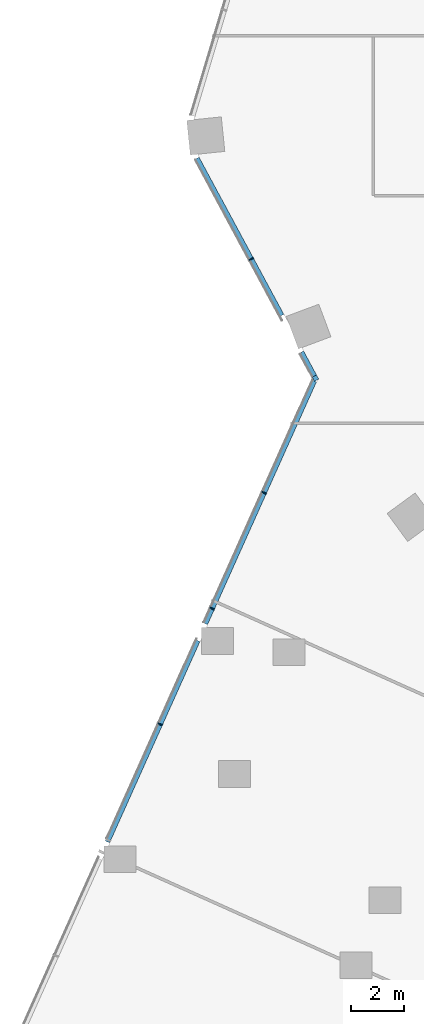
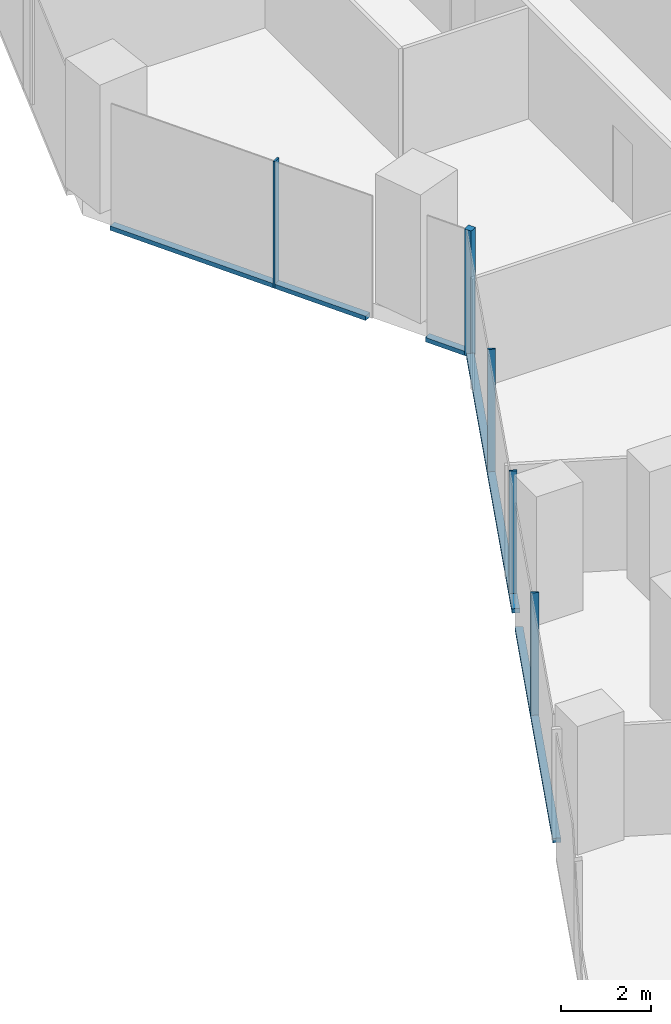
# One storey, part 6 of 34: 9 members, 2 elements without a shape of their own.
"""IFC4 building model written with IfcOpenShell, lengths in metres."""

import ifcopenshell
import ifcopenshell.guid

model = None  # the IFC model being written
_history = None  # IfcOwnerHistory: only IFC2X3 demands one
_inside = {}  # id of a spatial element -> (the spatial element, [elements in it])
_under = {}  # id of a project, library or spatial element -> (it, [spatial elements below it])
_declared = {}  # id of a project -> (the project, [libraries it declares])
_typed = {}  # id of a type object -> (the type object, [elements of that type])
_made_of = {}  # id of a material, layer set ... -> (it, [elements and type objects made of it])


def new_model(schema):
    """Start an empty IFC model of exactly this schema.

    Asked for "IFC4X3", IfcOpenShell would pick the latest addendum, in which some entities
    have other attributes; the version numbers below select the first issue.
    IFC2X3 requires an IfcOwnerHistory on every rooted entity: one is made here for all.
    """
    global model, _history
    if schema == "IFC4X3":
        model = ifcopenshell.file(schema_version=(4, 3, 0, 0))
    else:
        model = ifcopenshell.file(schema=schema)
    _inside.clear()
    _under.clear()
    _declared.clear()
    _typed.clear()
    _made_of.clear()
    _history = None
    if model.schema == "IFC2X3":
        org = make("IfcOrganization", Name="unknown")
        user = make(
            "IfcPersonAndOrganization",
            ThePerson=make("IfcPerson", FamilyName="unknown"),
            TheOrganization=org,
        )
        app = make(
            "IfcApplication",
            ApplicationDeveloper=org,
            Version="unknown",
            ApplicationFullName="unknown",
            ApplicationIdentifier="unknown",
        )
        _history = make(
            "IfcOwnerHistory",
            OwningUser=user,
            OwningApplication=app,
            ChangeAction="ADDED",
            CreationDate=0,
        )
    return model


def make(cls, **values):
    """One entity of the class cls with the attributes given. An attribute that is None is left unset."""
    return model.create_entity(
        cls, **{name: value for name, value in values.items() if value is not None}
    )


def rooted(cls, **values):
    """An entity with a GlobalId (a new one), such as an element, a storey or a relation."""
    return make(cls, GlobalId=ifcopenshell.guid.new(), OwnerHistory=_history, **values)


def si_unit(unit_type, name, prefix=None):
    """IfcSIUnit, for example si_unit("LENGTHUNIT", "METRE", prefix="MILLI")."""
    return make("IfcSIUnit", UnitType=unit_type, Prefix=prefix, Name=name)


def assignment(units):
    """IfcUnitAssignment: the units of a project."""
    return None if units is None else make("IfcUnitAssignment", Units=units)


def point(xyz):
    """IfcCartesianPoint."""
    return None if xyz is None else make("IfcCartesianPoint", Coordinates=xyz)


def direction(xyz):
    """IfcDirection."""
    return None if xyz is None else make("IfcDirection", DirectionRatios=xyz)


def frame(location, z_axis=None, x_axis=None):
    """IfcAxis2Placement3D, a coordinate frame: its origin and axes. An axis left out is left unset."""
    return make(
        "IfcAxis2Placement3D",
        Location=point(location),
        Axis=direction(z_axis),
        RefDirection=direction(x_axis),
    )


def frame_2d(location, x_axis=None):
    """IfcAxis2Placement2D, a coordinate frame in the plane: its origin and x axis."""
    return make(
        "IfcAxis2Placement2D", Location=point(location), RefDirection=direction(x_axis)
    )


def origin():
    """The frame at (0, 0, 0) with its axes left unset."""
    return frame((0.0, 0.0, 0.0))


def origin_2d():
    """The frame at (0, 0) in the plane with its x axis left unset."""
    return frame_2d((0.0, 0.0))


def place(relative_to, where):
    """IfcLocalPlacement: puts the frame where relative to a parent placement (None: the world)."""
    return make(
        "IfcLocalPlacement", PlacementRelTo=relative_to, RelativePlacement=where
    )


def context(
    kind, dimensions, precision=None, world=None, true_north=None, identifier=None
):
    """IfcGeometricRepresentationContext, for example the 3D "Model" context."""
    return make(
        "IfcGeometricRepresentationContext",
        ContextIdentifier=identifier,
        ContextType=kind,
        CoordinateSpaceDimension=dimensions,
        Precision=precision,
        WorldCoordinateSystem=world,
        TrueNorth=true_north,
    )


def subcontext(parent, identifier, kind, view, scale=None):
    """IfcGeometricRepresentationSubContext, for example "Body" below "Model"."""
    return make(
        "IfcGeometricRepresentationSubContext",
        ContextIdentifier=identifier,
        ContextType=kind,
        ParentContext=parent,
        TargetScale=scale,
        TargetView=view,
    )


def project(units=None, contexts=None):
    """IfcProject with its units and contexts."""
    return rooted(
        "IfcProject",
        Name="project",
        RepresentationContexts=contexts,
        UnitsInContext=assignment(units),
    )


def spatial(cls, under=None, at=None, **own):
    """A site, building, storey or space (cls), placed at a placement, below another one or the project."""
    s = rooted(cls, ObjectPlacement=at, **own)
    if under is not None:
        _under.setdefault(under.id(), (under, []))[1].append(s)
    return s


def profile(cls, at=None, kind="AREA", **sizes):
    """A parametric profile (cls). Its sizes go by their IFC names, for example OverallWidth=200.0."""
    return make(cls, ProfileType=kind, Position=at, **sizes)


def rectangle(**sizes):
    """IfcRectangleProfileDef."""
    return profile("IfcRectangleProfileDef", **sizes)


def extrude(swept, where, along, depth):
    """IfcExtrudedAreaSolid: the profile swept, set in the frame where, extruded along a direction by depth."""
    return make(
        "IfcExtrudedAreaSolid",
        SweptArea=swept,
        Position=where,
        ExtrudedDirection=direction(along),
        Depth=depth,
    )


def shape(context_of_items, identifier, shape_type, items):
    """IfcShapeRepresentation: the items that make up one representation, for example the "Body"."""
    return make(
        "IfcShapeRepresentation",
        ContextOfItems=context_of_items,
        RepresentationIdentifier=identifier,
        RepresentationType=shape_type,
        Items=items,
    )


def material(Name=None, Category=None):
    """IfcMaterial."""
    return make("IfcMaterial", Name=Name, Category=Category)


def material_profile(
    of_material, cross_section, Name=None, Category=None, Priority=None
):
    """IfcMaterialProfile: a cross section and its material."""
    return make(
        "IfcMaterialProfile",
        Name=Name,
        Material=of_material,
        Profile=cross_section,
        Priority=Priority,
        Category=Category,
    )


def profile_set(profiles, Name=None, composite=None):
    """IfcMaterialProfileSet."""
    return make(
        "IfcMaterialProfileSet",
        Name=Name,
        MaterialProfiles=profiles,
        CompositeProfile=composite,
    )


def made_of(thing, what):
    """Note that an element or type object is made of a material, layer set ...; save() writes the relation."""
    if what is not None:
        _made_of.setdefault(what.id(), (what, []))[1].append(thing)
    return thing


def type_object(cls, material=None, **own):
    """A type object (cls), such as IfcWallType, which elements share."""
    return made_of(rooted(cls, **own), material)


def element(
    cls,
    number,
    at=None,
    inside=None,
    cuts=None,
    type_object=None,
    material=None,
    context=None,
    identifier="Body",
    shape_type=None,
    held_by="IfcProductDefinitionShape",
    body=None,
    shapes=None,
    **own,
):
    """One element of the class cls, such as IfcWall. Its Tag is "e" and its number.

    at: its placement. inside: the storey or other place that contains it. cuts: it is an
    opening in that element (IfcRelVoidsElement). A single representation is given by context,
    identifier, shape_type and body (its items); several are given by shapes. held_by: the class
    of the entity that holds the representations. save() writes the other relations.
    """
    e = rooted(cls, Tag="e%d" % number, ObjectPlacement=at, **own)
    if body is not None:
        shapes = [shape(context, identifier, shape_type, body)]
    if shapes is not None:
        e.Representation = make(held_by, Representations=shapes)
    if inside is not None:
        _inside.setdefault(inside.id(), (inside, []))[1].append(e)
    if cuts is not None:
        rooted(
            "IfcRelVoidsElement", RelatingBuildingElement=cuts, RelatedOpeningElement=e
        )
    if type_object is not None:
        _typed.setdefault(type_object.id(), (type_object, []))[1].append(e)
    return made_of(e, material)


def aggregate(whole, parts):
    """IfcRelAggregates: a whole, such as a stair, and the parts it consists of."""
    return rooted("IfcRelAggregates", RelatingObject=whole, RelatedObjects=parts)


def save(model, path):
    """Write the relations noted so far, then the file.

    IfcRelAggregates (storeys below a building ...), IfcRelContainedInSpatialStructure (elements
    in a storey), IfcRelDefinesByType, IfcRelAssociatesMaterial and IfcRelDeclares: one each for
    every whole, place, type object, material and project.
    """
    for whole, parts in _under.values():
        aggregate(whole, parts)
    for where, things in _inside.values():
        rooted(
            "IfcRelContainedInSpatialStructure",
            RelatedElements=things,
            RelatingStructure=where,
        )
    for kind, things in _typed.values():
        rooted("IfcRelDefinesByType", RelatedObjects=things, RelatingType=kind)
    for what, things in _made_of.values():
        rooted("IfcRelAssociatesMaterial", RelatedObjects=things, RelatingMaterial=what)
    for by, libraries in _declared.values():
        rooted("IfcRelDeclares", RelatingContext=by, RelatedDefinitions=libraries)
    model.write(path)


model = new_model("IFC4")

# Units and contexts
model_context = context("Model", 3, precision=1e-05, world=origin(), true_north=direction((0.0, 1.0)))
body_context = subcontext(model_context, "Body", "Model", "MODEL_VIEW")
ifc_project = project(units=[si_unit("LENGTHUNIT", "METRE"), si_unit("AREAUNIT", "SQUARE_METRE"), si_unit("VOLUMEUNIT", "CUBIC_METRE"), si_unit("PLANEANGLEUNIT", "RADIAN"), si_unit("MASSUNIT", "GRAM", prefix="KILO")], contexts=[model_context])

# Site, building, storey
site_placement = place(None, origin())
site = spatial("IfcSite", under=ifc_project, at=site_placement, CompositionType="ELEMENT")
building_placement = place(site_placement, origin())
building = spatial("IfcBuilding", under=site, at=building_placement, Name="Orlundy Tower", CompositionType="ELEMENT")
storey_placement = place(building_placement, frame((0.0, 0.0, 137.699951171875)))
storey = spatial("IfcBuildingStorey", under=building, at=storey_placement, Name="L35", CompositionType="ELEMENT", Elevation=137.699951171875)

# Curtain wall, member
ifc_material_1 = material(Name="Aluminium bronze anodised", Category="aluminium")
curtain_wall_type = type_object("IfcCurtainWallType", Name="CW1 wall", PredefinedType="NOTDEFINED", material=ifc_material_1)
curtain_wall_1_placement = place(storey_placement, origin())
curtain_wall_1 = element("IfcCurtainWall", 1, at=curtain_wall_1_placement, inside=storey, type_object=curtain_wall_type, Name="CW1 run 01", PredefinedType="NOTDEFINED")
ifc_material_2 = material(Name="Aluminium bronze anodised", Category="aluminium")
ifc_material_profile_1 = material_profile(ifc_material_2, rectangle(XDim=0.179931640625, YDim=0.179931640625, at=origin_2d()), Name="CW1 corner post 180x180")
ifc_profile_set_1 = profile_set([ifc_material_profile_1], Name="Aluminium bronze anodised")
member_type_1 = type_object("IfcMemberType", Name="CW1 corner post 180x180", PredefinedType="MULLION", material=ifc_profile_set_1)
member_1_placement = place(storey_placement, frame((-27.545166015625, -12.314697265625, -0.39990234375), z_axis=(0.0, 0.0, 1.0), x_axis=(-0.880188659482, -0.4746239814, 0.0)))
member_1 = element("IfcMember", 2, at=member_1_placement, type_object=member_type_1, Name="CW1 mullion 7", PredefinedType="MULLION", context=body_context, shape_type="SweptSolid", body=[
    extrude(rectangle(XDim=0.179931640625, YDim=0.179931640625, at=origin_2d()), origin(), (0.0, 0.0, 1.0), 3.449951171875),
])

# Curtain wall, members
curtain_wall_2_placement = place(storey_placement, origin())
curtain_wall_2 = element("IfcCurtainWall", 3, at=curtain_wall_2_placement, inside=storey, type_object=curtain_wall_type, Name="CW1 run 00", PredefinedType="NOTDEFINED")
ifc_material_3 = material(Name="Aluminium bronze anodised", Category="aluminium")
ifc_material_profile_2 = material_profile(ifc_material_3, rectangle(XDim=0.179931640625, YDim=0.050048828125, at=origin_2d()), Name="CW1 mullion 50x180")
ifc_profile_set_2 = profile_set([ifc_material_profile_2], Name="Aluminium bronze anodised")
member_type_2 = type_object("IfcMemberType", Name="CW1 mullion 50x180", PredefinedType="MULLION", material=ifc_profile_set_2)
member_2_placement = place(storey_placement, frame((-33.36767578125, -25.28955078125, -0.39990234375), z_axis=(0.0, 0.0, 1.0), x_axis=(-0.912353169834, 0.409404071174, 0.0)))
member_2 = element("IfcMember", 4, at=member_2_placement, type_object=member_type_2, Name="CW1 mullion 4", PredefinedType="MULLION", context=body_context, shape_type="SweptSolid", body=[
    extrude(rectangle(XDim=0.179931640625, YDim=0.050048828125, at=origin_2d()), origin(), (0.0, 0.0, 1.0), 3.449951171875),
])
member_3_placement = place(storey_placement, frame((-31.4208984375, -20.951171875, -0.39990234375), z_axis=(0.0, 0.0, 1.0), x_axis=(-0.912353169834, 0.409404071174, 0.0)))
member_3 = element("IfcMember", 5, at=member_3_placement, type_object=member_type_2, Name="CW1 mullion 5", PredefinedType="MULLION", context=body_context, shape_type="SweptSolid", body=[
    extrude(rectangle(XDim=0.179931640625, YDim=0.050048828125, at=origin_2d()), origin(), (0.0, 0.0, 1.0), 3.449951171875),
])
member_4_placement = place(storey_placement, frame((-29.473876953125, -16.612548828125, -0.39990234375), z_axis=(0.0, 0.0, 1.0), x_axis=(-0.912353169834, 0.409404071174, 0.0)))
member_4 = element("IfcMember", 6, at=member_4_placement, type_object=member_type_2, Name="CW1 mullion 6", PredefinedType="MULLION", context=body_context, shape_type="SweptSolid", body=[
    extrude(rectangle(XDim=0.179931640625, YDim=0.050048828125, at=origin_2d()), origin(), (0.0, 0.0, 1.0), 3.449951171875),
])

# Member
member_5_placement = place(storey_placement, frame((-29.95361328125, -7.84814453125, -0.39990234375), z_axis=(0.0, 0.0, 1.0), x_axis=(-0.880188659482, -0.4746239814, 0.0)))
member_5 = element("IfcMember", 7, at=member_5_placement, type_object=member_type_2, Name="CW1 mullion 8", PredefinedType="MULLION", context=body_context, shape_type="SweptSolid", body=[
    extrude(rectangle(XDim=0.179931640625, YDim=0.050048828125, at=origin_2d()), origin(), (0.0, 0.0, 1.0), 3.449951171875),
])

ifc_material_4 = material(Name="Aluminium bronze anodised", Category="aluminium")
ifc_material_profile_3 = material_profile(ifc_material_4, rectangle(XDim=0.179931640625, YDim=0.1201171875, at=origin_2d()), Name="CW1 transom 180x120")
ifc_profile_set_3 = profile_set([ifc_material_profile_3], Name="Aluminium bronze anodised")
member_type_3 = type_object("IfcMemberType", Name="CW1 transom 180x120", PredefinedType="USERDEFINED", material=ifc_profile_set_3)
member_6_placement = place(storey_placement, frame((-35.344970703125, -29.696044921875, -0.33984375), z_axis=(0.409415362289, 0.91234810304, 0.0), x_axis=(-0.91234810304, 0.409415362289, 0.0)))
member_6 = element("IfcMember", 8, at=member_6_placement, type_object=member_type_3, Name="CW1 transom", ObjectType="TRANSOM", PredefinedType="USERDEFINED", context=body_context, shape_type="SweptSolid", body=[
    extrude(rectangle(XDim=0.179931640625, YDim=0.1201171875, at=origin_2d()), origin(), (0.0, 0.0, 1.0), 8.267822265625),
])

member_7_placement = place(storey_placement, frame((-31.67431640625, -21.51611328125, -0.33984375), z_axis=(0.40940244043, 0.912353901603, 0.0), x_axis=(-0.912353901603, 0.40940244043, 0.0)))
member_7 = element("IfcMember", 9, at=member_7_placement, type_object=member_type_3, Name="CW1 transom", ObjectType="TRANSOM", PredefinedType="USERDEFINED", context=body_context, shape_type="SweptSolid", body=[
    extrude(rectangle(XDim=0.179931640625, YDim=0.1201171875, at=origin_2d()), origin(), (0.0, 0.0, 1.0), 9.971923828125),
])

aggregate(curtain_wall_2, [member_2, member_3, member_4, member_6, member_7])

member_8_placement = place(storey_placement, frame((-27.587890625, -12.2353515625, -0.33984375), z_axis=(-0.474768358729, 0.880110791634, 0.0), x_axis=(-0.880110791634, -0.474768358729, 0.0)))
member_8 = element("IfcMember", 10, at=member_8_placement, type_object=member_type_3, Name="CW1 transom", ObjectType="TRANSOM", PredefinedType="USERDEFINED", context=body_context, shape_type="SweptSolid", body=[
    extrude(rectangle(XDim=0.179931640625, YDim=0.1201171875, at=origin_2d()), origin(), (0.0, 0.0, 1.0), 1.0234375),
])

member_9_placement = place(storey_placement, frame((-28.814208984375, -9.96142578125, -0.33984375), z_axis=(-0.474628470518, 0.8801862388, 0.0), x_axis=(-0.8801862388, -0.474628470518, 0.0)))
member_9 = element("IfcMember", 11, at=member_9_placement, type_object=member_type_3, Name="CW1 transom", ObjectType="TRANSOM", PredefinedType="USERDEFINED", context=body_context, shape_type="SweptSolid", body=[
    extrude(rectangle(XDim=0.179931640625, YDim=0.1201171875, at=origin_2d()), origin(), (0.0, 0.0, 1.0), 6.691162109375),
])

aggregate(curtain_wall_1, [member_1, member_5, member_8, member_9])

save(model, "model.ifc")
